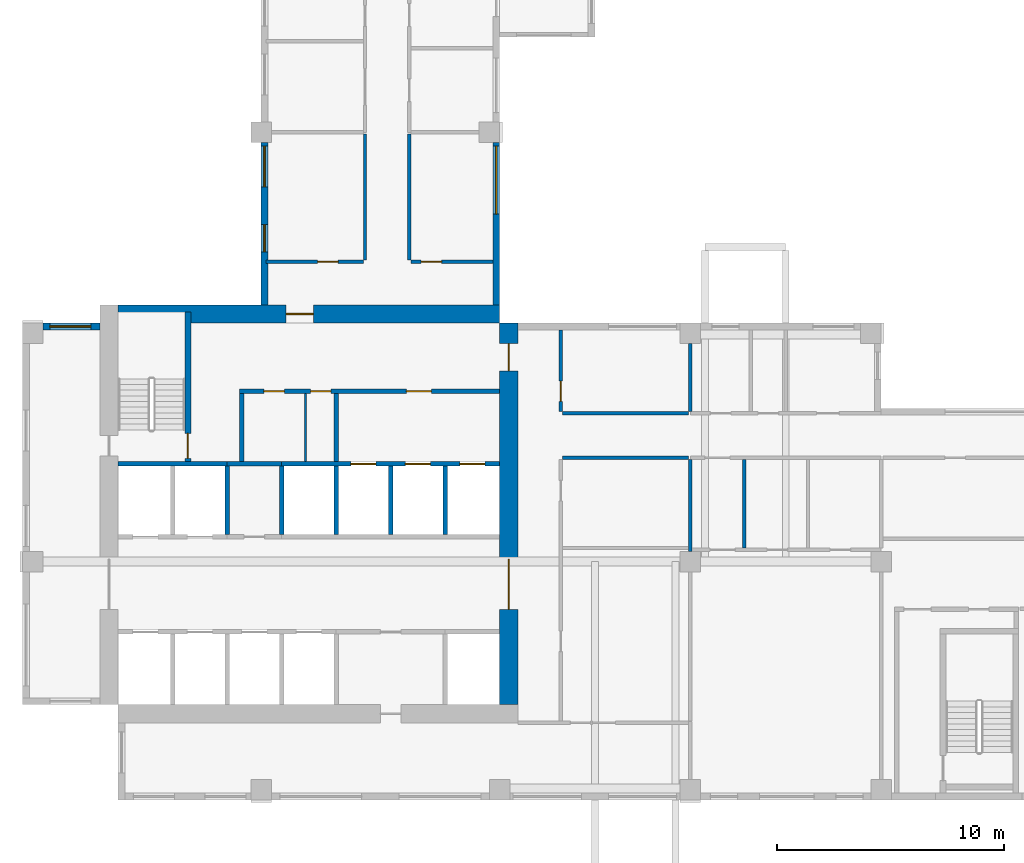
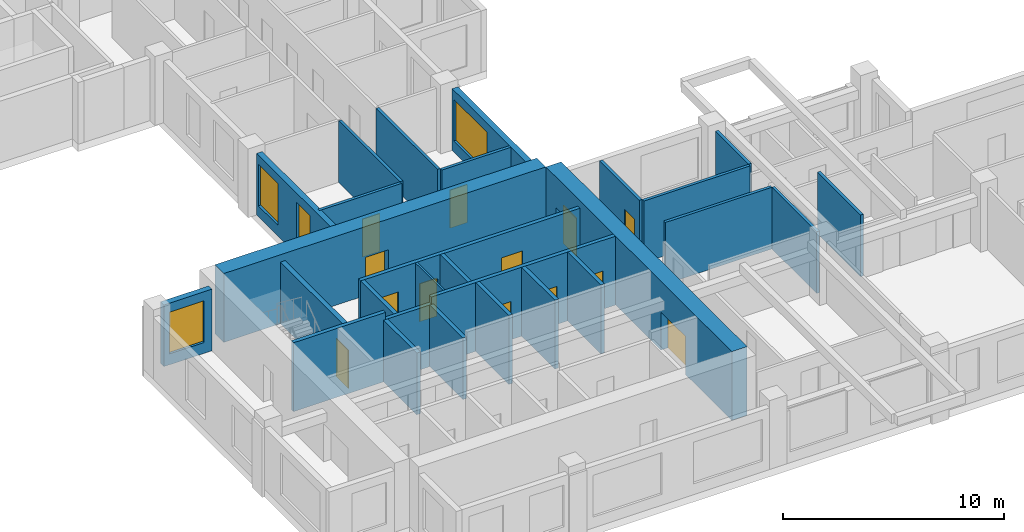
# One storey, part 3 of 12: 28 walls, 13 doors, 4 windows, 17 openings.
"""IFC4 building model written with IfcOpenShell, lengths in metres."""

from ifc_helpers import new_model, si_unit, direction, frame, frame_2d, origin, place, context, subcontext, project, spatial, rectangle, extrude, source, transform, mapped, material, layer, layer_set, type_object, element, fill, save


model = new_model("IFC4")

# Units and contexts
model_context = context("Model", 3, precision=1e-05, world=origin(), true_north=direction((0.0, 1.0)))
body_context = subcontext(model_context, "Body", "Model", "MODEL_VIEW")
ifc_project = project(units=[si_unit("LENGTHUNIT", "METRE"), si_unit("AREAUNIT", "SQUARE_METRE"), si_unit("VOLUMEUNIT", "CUBIC_METRE"), si_unit("PLANEANGLEUNIT", "RADIAN"), si_unit("MASSUNIT", "GRAM", prefix="KILO")], contexts=[model_context])

# Site, building, storey
site_placement = place(None, origin())
site = spatial("IfcSite", under=ifc_project, at=site_placement, CompositionType="ELEMENT")
building_placement = place(site_placement, origin())
building = spatial("IfcBuilding", under=site, at=building_placement, Name="Aurelian Terraces", CompositionType="ELEMENT")
storey_placement = place(building_placement, frame((0.0, 0.0, 189.2)))
storey = spatial("IfcBuildingStorey", under=building, at=storey_placement, Name="L41", CompositionType="ELEMENT", Elevation=189.2)

# Wall, openings, doors
ifc_material_1 = material(Name="Concrete fc' 70 MPa", Category="concrete")
ifc_layer_1 = layer(ifc_material_1, 0.8)
ifc_layer_set_1 = layer_set([ifc_layer_1], Name="CORE WALL 800 FC70")
wall_type_1 = type_object("IfcWallType", Name="CORE WALL 800 FC70", PredefinedType="SHEAR", material=ifc_layer_set_1)
shared_shape_1 = source(origin(), body_context, "Body", "SweptSolid", [
    extrude(rectangle(XDim=16.8, YDim=0.8, at=frame_2d((8.4, 0.0))), origin(), (0.0, 0.0, 1.0), 3.8),
])
wall_1_placement = place(storey_placement, frame((21.4, 4.2, 0.0), z_axis=(0.0, 0.0, 1.0), x_axis=(0.0, 1.0, 0.0)))
wall_1 = element("IfcWall", 1, at=wall_1_placement, inside=storey, type_object=wall_type_1, Name="Core wall E L41", PredefinedType="SHEAR", context=body_context, shape_type="MappedRepresentation", body=[
    mapped(shared_shape_1, transform((0.0, 0.0, 0.0), scale=1.0)),
])
shared_shape_2 = source(origin(), body_context, "Body", "SweptSolid", [
    extrude(rectangle(XDim=2.2, YDim=2.1, at=frame_2d((1.1, 1.05))), frame((0.0, 0.41, 0.0), z_axis=(0.0, -1.0, 0.0), x_axis=(1.0, 0.0, 0.0)), (0.0, 0.0, 1.0), 0.82),
])
opening_1_placement = place(wall_1_placement, frame((4.2, 0.0, 0.0)))
opening_1 = element("IfcOpeningElement", 2, at=opening_1_placement, cuts=wall_1, Name="Opening 64421", PredefinedType="OPENING", context=body_context, shape_type="MappedRepresentation", body=[
    mapped(shared_shape_2, transform((0.0, 0.0, 0.0), scale=1.0)),
])
shared_shape_3 = source(origin(), body_context, "Body", "SweptSolid", [
    extrude(rectangle(XDim=1.2, YDim=2.1, at=frame_2d((0.6, 1.05))), frame((0.0, 0.41, 0.0), z_axis=(0.0, -1.0, 0.0), x_axis=(1.0, 0.0, 0.0)), (0.0, 0.0, 1.0), 0.82),
])
opening_2_placement = place(wall_1_placement, frame((14.7, 0.0, 0.0)))
opening_2 = element("IfcOpeningElement", 3, at=opening_2_placement, cuts=wall_1, Name="Opening 64424", PredefinedType="OPENING", context=body_context, shape_type="MappedRepresentation", body=[
    mapped(shared_shape_3, transform((0.0, 0.0, 0.0), scale=1.0)),
])
ifc_material_2 = material(Name="Steel door leaf", Category="steel")
door_type_1 = type_object("IfcDoorType", Name="Core fire door 1200x2100 right", OperationType="SINGLE_SWING_RIGHT", PredefinedType="DOOR", material=ifc_material_2)
shared_shape_4 = source(origin(), body_context, "Body", "SweptSolid", [
    extrude(rectangle(XDim=1.2, YDim=2.1, at=frame_2d((0.6, 1.05))), frame((0.0, 0.025, 0.0), z_axis=(0.0, -1.0, 0.0), x_axis=(1.0, 0.0, 0.0)), (0.0, 0.0, 1.0), 0.05),
])
door_1_placement = place(opening_2_placement, origin())
door_1 = element("IfcDoor", 4, at=door_1_placement, inside=storey, type_object=door_type_1, Name="Core door 64424", OperationType="SINGLE_SWING_RIGHT", OverallHeight=2.1, OverallWidth=1.2, PredefinedType="DOOR", context=body_context, shape_type="MappedRepresentation", body=[
    mapped(shared_shape_4, transform((0.0, 0.0, 0.0), scale=1.0)),
])
fill(opening_2, door_1)
door_type_2 = type_object("IfcDoorType", Name="Core double door 2200x2100", OperationType="DOUBLE_DOOR_SINGLE_SWING", PredefinedType="DOOR", material=ifc_material_2)
shared_shape_5 = source(origin(), body_context, "Body", "SweptSolid", [
    extrude(rectangle(XDim=2.2, YDim=2.1, at=frame_2d((1.1, 1.05))), frame((0.0, 0.025, 0.0), z_axis=(0.0, -1.0, 0.0), x_axis=(1.0, 0.0, 0.0)), (0.0, 0.0, 1.0), 0.05),
])
door_2_placement = place(opening_1_placement, origin())
door_2 = element("IfcDoor", 5, at=door_2_placement, inside=storey, type_object=door_type_2, Name="Core door 64421", OperationType="DOUBLE_DOOR_SINGLE_SWING", OverallHeight=2.1, OverallWidth=2.2, PredefinedType="DOOR", context=body_context, shape_type="MappedRepresentation", body=[
    mapped(shared_shape_5, transform((0.0, 0.0, 0.0), scale=1.0)),
])
fill(opening_1, door_2)

# Wall, opening, door
wall_2_placement = place(storey_placement, frame((4.2, 21.4, 0.0), z_axis=(0.0, 0.0, 1.0), x_axis=(1.0, 0.0, 0.0)))
wall_2 = element("IfcWall", 6, at=wall_2_placement, inside=storey, type_object=wall_type_1, Name="Core wall N L41", PredefinedType="SHEAR", context=body_context, shape_type="MappedRepresentation", body=[
    mapped(shared_shape_1, transform((0.0, 0.0, 0.0), scale=1.0)),
])
opening_3_placement = place(wall_2_placement, frame((7.4, 0.0, 0.0)))
opening_3 = element("IfcOpeningElement", 7, at=opening_3_placement, cuts=wall_2, Name="Opening 64423", PredefinedType="OPENING", context=body_context, shape_type="MappedRepresentation", body=[
    mapped(shared_shape_3, transform((0.0, 0.0, 0.0), scale=1.0)),
])
door_type_3 = type_object("IfcDoorType", Name="Core fire door 1200x2100", OperationType="SINGLE_SWING_LEFT", PredefinedType="DOOR", material=ifc_material_2)
door_3_placement = place(opening_3_placement, origin())
door_3 = element("IfcDoor", 8, at=door_3_placement, inside=storey, type_object=door_type_3, Name="Core door 64423", OperationType="SINGLE_SWING_LEFT", OverallHeight=2.1, OverallWidth=1.2, PredefinedType="DOOR", context=body_context, shape_type="MappedRepresentation", body=[
    mapped(shared_shape_4, transform((0.0, 0.0, 0.0), scale=1.0)),
])
fill(opening_3, door_3)

# Wall, opening, window
ifc_material_3 = material(Name="Terracotta rainscreen cladding", Category="masonry")
ifc_layer_2 = layer(ifc_material_3, 0.3)
ifc_layer_set_2 = layer_set([ifc_layer_2], Name="EW-300")
wall_type_2 = type_object("IfcWallType", Name="EW-300", PredefinedType="STANDARD", material=ifc_layer_set_2)
shared_shape_6 = source(origin(), body_context, "Body", "SweptSolid", [
    extrude(rectangle(XDim=7.15, YDim=0.3, at=frame_2d((3.575, 0.0))), origin(), (0.0, 0.0, 1.0), 3.4),
])
wall_3_placement = place(storey_placement, frame((20.85, 21.8, 0.0), z_axis=(0.0, 0.0, 1.0), x_axis=(0.0, 1.0, 0.0)))
wall_3 = element("IfcWall", 9, at=wall_3_placement, inside=storey, type_object=wall_type_2, Name="External wall L41 F08.18", PredefinedType="STANDARD", context=body_context, shape_type="MappedRepresentation", body=[
    mapped(shared_shape_6, transform((0.0, 0.0, 0.0), scale=1.0)),
])
shared_shape_7 = source(origin(), body_context, "Body", "SweptSolid", [
    extrude(rectangle(XDim=3.0, YDim=2.3, at=frame_2d((1.5, 1.15))), frame((0.0, 0.16, 0.0), z_axis=(0.0, -1.0, 0.0), x_axis=(1.0, 0.0, 0.0)), (0.0, 0.0, 1.0), 0.32),
])
opening_4_placement = place(wall_3_placement, frame((4.0, 0.0, 0.6)))
opening_4 = element("IfcOpeningElement", 10, at=opening_4_placement, cuts=wall_3, Name="Opening W3023", PredefinedType="OPENING", context=body_context, shape_type="MappedRepresentation", body=[
    mapped(shared_shape_7, transform((0.0, 0.0, 0.0), scale=1.0)),
])
ifc_material_4 = material(Name="Clear glazing", Category="glass")
window_type_1 = type_object("IfcWindowType", Name="W-3000x2300", PartitioningType="SINGLE_PANEL", PredefinedType="WINDOW", material=ifc_material_4)
shared_shape_8 = source(origin(), body_context, "Body", "SweptSolid", [
    extrude(rectangle(XDim=3.0, YDim=2.3, at=frame_2d((1.5, 1.15))), frame((0.0, 0.03, 0.0), z_axis=(0.0, -1.0, 0.0), x_axis=(1.0, 0.0, 0.0)), (0.0, 0.0, 1.0), 0.06),
])
window_1_placement = place(opening_4_placement, origin())
window_1 = element("IfcWindow", 11, at=window_1_placement, inside=storey, type_object=window_type_1, Name="Window L41 L41-F08-18-1", OverallHeight=2.3, OverallWidth=3.0, PartitioningType="SINGLE_PANEL", PredefinedType="WINDOW", context=body_context, shape_type="MappedRepresentation", body=[
    mapped(shared_shape_8, transform((0.0, 0.0, 0.0), scale=1.0)),
])
fill(opening_4, window_1)

# Wall, openings, windows
wall_4_placement = place(storey_placement, frame((10.65, 28.95, 0.0), z_axis=(0.0, 0.0, 1.0), x_axis=(0.0, -1.0, 0.0)))
wall_4 = element("IfcWall", 12, at=wall_4_placement, inside=storey, type_object=wall_type_2, Name="External wall L41 F18.32", PredefinedType="STANDARD", context=body_context, shape_type="MappedRepresentation", body=[
    mapped(shared_shape_6, transform((0.0, 0.0, 0.0), scale=1.0)),
])
shared_shape_9 = source(origin(), body_context, "Body", "SweptSolid", [
    extrude(rectangle(XDim=1.8, YDim=2.3, at=frame_2d((0.9, 1.15))), frame((0.0, 0.16, 0.0), z_axis=(0.0, -1.0, 0.0), x_axis=(1.0, 0.0, 0.0)), (0.0, 0.0, 1.0), 0.32),
])
opening_5_placement = place(wall_4_placement, frame((0.15, 0.0, 0.6)))
opening_5 = element("IfcOpeningElement", 13, at=opening_5_placement, cuts=wall_4, Name="Opening W1823", PredefinedType="OPENING", context=body_context, shape_type="MappedRepresentation", body=[
    mapped(shared_shape_9, transform((0.0, 0.0, 0.0), scale=1.0)),
])
shared_shape_10 = source(origin(), body_context, "Body", "SweptSolid", [
    extrude(rectangle(XDim=1.2, YDim=2.3, at=frame_2d((0.6, 1.15))), frame((0.0, 0.16, 0.0), z_axis=(0.0, -1.0, 0.0), x_axis=(1.0, 0.0, 0.0)), (0.0, 0.0, 1.0), 0.32),
])
opening_6_placement = place(wall_4_placement, frame((3.6125, 0.0, 0.6)))
opening_6 = element("IfcOpeningElement", 14, at=opening_6_placement, cuts=wall_4, Name="Opening W1223", PredefinedType="OPENING", context=body_context, shape_type="MappedRepresentation", body=[
    mapped(shared_shape_10, transform((0.0, 0.0, 0.0), scale=1.0)),
])
window_type_2 = type_object("IfcWindowType", Name="W-1200x2300", PartitioningType="SINGLE_PANEL", PredefinedType="WINDOW", material=ifc_material_4)
shared_shape_11 = source(origin(), body_context, "Body", "SweptSolid", [
    extrude(rectangle(XDim=1.2, YDim=2.3, at=frame_2d((0.6, 1.15))), frame((0.0, 0.03, 0.0), z_axis=(0.0, -1.0, 0.0), x_axis=(1.0, 0.0, 0.0)), (0.0, 0.0, 1.0), 0.06),
])
window_2_placement = place(opening_6_placement, origin())
window_2 = element("IfcWindow", 15, at=window_2_placement, inside=storey, type_object=window_type_2, Name="Window L41 L41-F18-32-G1-108", OverallHeight=2.3, OverallWidth=1.2, PartitioningType="SINGLE_PANEL", PredefinedType="WINDOW", context=body_context, shape_type="MappedRepresentation", body=[
    mapped(shared_shape_11, transform((0.0, 0.0, 0.0), scale=1.0)),
])
fill(opening_6, window_2)
window_type_3 = type_object("IfcWindowType", Name="W-1800x2300", PartitioningType="SINGLE_PANEL", PredefinedType="WINDOW", material=ifc_material_4)
shared_shape_12 = source(origin(), body_context, "Body", "SweptSolid", [
    extrude(rectangle(XDim=1.8, YDim=2.3, at=frame_2d((0.9, 1.15))), frame((0.0, 0.03, 0.0), z_axis=(0.0, -1.0, 0.0), x_axis=(1.0, 0.0, 0.0)), (0.0, 0.0, 1.0), 0.06),
])
window_3_placement = place(opening_5_placement, origin())
window_3 = element("IfcWindow", 16, at=window_3_placement, inside=storey, type_object=window_type_3, Name="Window L41 L41-F18-32-2", OverallHeight=2.3, OverallWidth=1.8, PartitioningType="SINGLE_PANEL", PredefinedType="WINDOW", context=body_context, shape_type="MappedRepresentation", body=[
    mapped(shared_shape_12, transform((0.0, 0.0, 0.0), scale=1.0)),
])
fill(opening_5, window_3)

# Wall, opening, window
shared_shape_13 = source(origin(), body_context, "Body", "SweptSolid", [
    extrude(rectangle(XDim=2.5, YDim=0.3, at=frame_2d((1.25, 0.0))), origin(), (0.0, 0.0, 1.0), 3.4),
])
wall_5_placement = place(storey_placement, frame((3.4, 20.85, 0.0), z_axis=(0.0, 0.0, 1.0), x_axis=(-1.0, 0.0, 0.0)))
wall_5 = element("IfcWall", 17, at=wall_5_placement, inside=storey, type_object=wall_type_2, Name="External wall L41 F21.35", PredefinedType="STANDARD", context=body_context, shape_type="MappedRepresentation", body=[
    mapped(shared_shape_13, transform((0.0, 0.0, 0.0), scale=1.0)),
])
opening_7_placement = place(wall_5_placement, frame((0.4, 0.0, 0.6)))
opening_7 = element("IfcOpeningElement", 18, at=opening_7_placement, cuts=wall_5, Name="Opening W1823", PredefinedType="OPENING", context=body_context, shape_type="MappedRepresentation", body=[
    mapped(shared_shape_9, transform((0.0, 0.0, 0.0), scale=1.0)),
])
window_4_placement = place(opening_7_placement, origin())
window_4 = element("IfcWindow", 19, at=window_4_placement, inside=storey, type_object=window_type_3, Name="Window L41 L41-F21-35-0", OverallHeight=2.3, OverallWidth=1.8, PartitioningType="SINGLE_PANEL", PredefinedType="WINDOW", context=body_context, shape_type="MappedRepresentation", body=[
    mapped(shared_shape_12, transform((0.0, 0.0, 0.0), scale=1.0)),
])
fill(opening_7, window_4)

# Walls
ifc_material_5 = material(Name="Concrete fc' 40 MPa", Category="concrete")
ifc_layer_3 = layer(ifc_material_5, 0.2)
ifc_layer_set_3 = layer_set([ifc_layer_3], Name="Lift shaft wall 200")
wall_type_3 = type_object("IfcWallType", Name="Lift shaft wall 200", PredefinedType="SOLIDWALL", material=ifc_layer_set_3)
shared_shape_14 = source(origin(), body_context, "Body", "SweptSolid", [
    extrude(rectangle(XDim=3.0, YDim=0.2, at=frame_2d((1.5, 0.0))), origin(), (0.0, 0.0, 1.0), 3.4),
])
for number, where, z_axis, x_axis, name in (
    (20, (9.0, 11.7, 0.0), (0.0, 0.0, 1.0), (0.0, 1.0, 0.0), "L41 core wall CD-B2"),
    (21, (11.4, 11.7, 0.0), (0.0, 0.0, 1.0), (0.0, 1.0, 0.0), "L41 core wall CD-B3"),
):
    element("IfcWall", number, at=place(storey_placement, frame(where, z_axis=z_axis, x_axis=x_axis)), inside=storey, type_object=wall_type_3, Name=name, PredefinedType="SOLIDWALL", context=body_context, shape_type="MappedRepresentation", body=[
        mapped(shared_shape_14, transform((0.0, 0.0, 0.0), scale=1.0)),
    ])
shared_shape_15 = source(origin(), body_context, "Body", "SweptSolid", [
    extrude(rectangle(XDim=3.0, YDim=0.2, at=frame_2d((1.5, 0.0))), origin(), (0.0, 0.0, 1.0), 3.8),
])
for number, where, z_axis, x_axis, name in (
    (22, (13.8, 11.7, 0.0), (0.0, 0.0, 1.0), (0.0, 1.0, 0.0), "L41 core wall CD-B4"),
    (23, (16.2, 11.7, 0.0), (0.0, 0.0, 1.0), (0.0, 1.0, 0.0), "L41 core wall CD-B5"),
    (24, (18.6, 11.7, 0.0), (0.0, 0.0, 1.0), (0.0, 1.0, 0.0), "L41 core wall CD-B6"),
):
    element("IfcWall", number, at=place(storey_placement, frame(where, z_axis=z_axis, x_axis=x_axis)), inside=storey, type_object=wall_type_3, Name=name, PredefinedType="SOLIDWALL", context=body_context, shape_type="MappedRepresentation", body=[
        mapped(shared_shape_15, transform((0.0, 0.0, 0.0), scale=1.0)),
    ])

# Wall, openings, doors
shared_shape_16 = source(origin(), body_context, "Body", "SweptSolid", [
    extrude(rectangle(XDim=9.6, YDim=0.2, at=frame_2d((4.8, 0.0))), origin(), (0.0, 0.0, 1.0), 3.8),
])
wall_6_placement = place(storey_placement, frame((11.4, 14.8, 0.0), z_axis=(0.0, 0.0, 1.0), x_axis=(1.0, 0.0, 0.0)))
wall_6 = element("IfcWall", 25, at=wall_6_placement, inside=storey, type_object=wall_type_3, Name="L41 core wall CF-BB3", PredefinedType="SOLIDWALL", context=body_context, shape_type="MappedRepresentation", body=[
    mapped(shared_shape_16, transform((0.0, 0.0, 0.0), scale=1.0)),
])
shared_shape_17 = source(origin(), body_context, "Body", "SweptSolid", [
    extrude(rectangle(XDim=1.1, YDim=2.1, at=frame_2d((0.55, 1.05))), frame((0.0, 0.11, 0.0), z_axis=(0.0, -1.0, 0.0), x_axis=(1.0, 0.0, 0.0)), (0.0, 0.0, 1.0), 0.22),
])
opening_8_placement = place(wall_6_placement, frame((3.05, 0.0, 0.0)))
opening_8 = element("IfcOpeningElement", 26, at=opening_8_placement, cuts=wall_6, Name="Opening 64408", PredefinedType="OPENING", context=body_context, shape_type="MappedRepresentation", body=[
    mapped(shared_shape_17, transform((0.0, 0.0, 0.0), scale=1.0)),
])
opening_9_placement = place(wall_6_placement, frame((5.45, 0.0, 0.0)))
opening_9 = element("IfcOpeningElement", 27, at=opening_9_placement, cuts=wall_6, Name="Opening 64409", PredefinedType="OPENING", context=body_context, shape_type="MappedRepresentation", body=[
    mapped(shared_shape_17, transform((0.0, 0.0, 0.0), scale=1.0)),
])
opening_10_placement = place(wall_6_placement, frame((7.85, 0.0, 0.0)))
opening_10 = element("IfcOpeningElement", 28, at=opening_10_placement, cuts=wall_6, Name="Opening 64410", PredefinedType="OPENING", context=body_context, shape_type="MappedRepresentation", body=[
    mapped(shared_shape_17, transform((0.0, 0.0, 0.0), scale=1.0)),
])
ifc_material_6 = material(Name="Stainless steel", Category="steel")
door_type_4 = type_object("IfcDoorType", Name="Lift landing door 1100x2100", OperationType="SLIDING_TO_LEFT", PredefinedType="DOOR", material=ifc_material_6)
shared_shape_18 = source(origin(), body_context, "Body", "SweptSolid", [
    extrude(rectangle(XDim=1.1, YDim=2.1, at=frame_2d((0.55, 1.05))), frame((0.0, 0.025, 0.0), z_axis=(0.0, -1.0, 0.0), x_axis=(1.0, 0.0, 0.0)), (0.0, 0.0, 1.0), 0.05),
])
door_4_placement = place(opening_8_placement, origin())
door_4 = element("IfcDoor", 29, at=door_4_placement, inside=storey, type_object=door_type_4, Name="Lift landing door F1 L41", OperationType="SLIDING_TO_LEFT", OverallHeight=2.1, OverallWidth=1.1, PredefinedType="DOOR", context=body_context, shape_type="MappedRepresentation", body=[
    mapped(shared_shape_18, transform((0.0, 0.0, 0.0), scale=1.0)),
])
fill(opening_8, door_4)
door_5_placement = place(opening_9_placement, origin())
door_5 = element("IfcDoor", 30, at=door_5_placement, inside=storey, type_object=door_type_4, Name="Lift landing door F2 L41", OperationType="SLIDING_TO_LEFT", OverallHeight=2.1, OverallWidth=1.1, PredefinedType="DOOR", context=body_context, shape_type="MappedRepresentation", body=[
    mapped(shared_shape_18, transform((0.0, 0.0, 0.0), scale=1.0)),
])
fill(opening_9, door_5)
door_6_placement = place(opening_10_placement, origin())
door_6 = element("IfcDoor", 31, at=door_6_placement, inside=storey, type_object=door_type_4, Name="Lift landing door F3 L41", OperationType="SLIDING_TO_LEFT", OverallHeight=2.1, OverallWidth=1.1, PredefinedType="DOOR", context=body_context, shape_type="MappedRepresentation", body=[
    mapped(shared_shape_18, transform((0.0, 0.0, 0.0), scale=1.0)),
])
fill(opening_10, door_6)

# Walls
shared_shape_19 = source(origin(), body_context, "Body", "SweptSolid", [
    extrude(rectangle(XDim=4.8, YDim=0.2, at=frame_2d((2.4, 0.0))), origin(), (0.0, 0.0, 1.0), 3.8),
])
wall_7_placement = place(storey_placement, frame((4.2, 14.8, 0.0), z_axis=(0.0, 0.0, 1.0), x_axis=(1.0, 0.0, 0.0)))
element("IfcWall", 32, at=wall_7_placement, inside=storey, type_object=wall_type_3, Name="L41 core wall CF-BB1", PredefinedType="SOLIDWALL", context=body_context, shape_type="MappedRepresentation", body=[
    mapped(shared_shape_19, transform((0.0, 0.0, 0.0), scale=1.0)),
])
shared_shape_20 = source(origin(), body_context, "Body", "SweptSolid", [
    extrude(rectangle(XDim=2.4, YDim=0.2, at=frame_2d((1.2, 0.0))), origin(), (0.0, 0.0, 1.0), 3.4),
])
wall_8_placement = place(storey_placement, frame((9.0, 14.8, 0.0), z_axis=(0.0, 0.0, 1.0), x_axis=(1.0, 0.0, 0.0)))
element("IfcWall", 33, at=wall_8_placement, inside=storey, type_object=wall_type_3, Name="L41 core wall CF-BB2", PredefinedType="SOLIDWALL", context=body_context, shape_type="MappedRepresentation", body=[
    mapped(shared_shape_20, transform((0.0, 0.0, 0.0), scale=1.0)),
])
ifc_material_7 = material(Name="Gypsum board on steel studs", Category="steel")
ifc_layer_4 = layer(ifc_material_7, 0.2)
ifc_layer_set_4 = layer_set([ifc_layer_4], Name="Core partition 200")
wall_type_4 = type_object("IfcWallType", Name="Core partition 200", PredefinedType="PARTITIONING", material=ifc_layer_set_4)
shared_shape_21 = source(origin(), body_context, "Body", "SweptSolid", [
    extrude(rectangle(XDim=3.0, YDim=0.2, at=frame_2d((1.5, 0.0))), origin(), (0.0, 0.0, 1.0), 3.4),
])
for number, where, z_axis, x_axis, name in (
    (34, (9.65, 14.9, 0.0), (0.0, 0.0, 1.0), (0.0, 1.0, 0.0), "L41 core wall CP-VEST"),
    (35, (13.8, 14.9, 0.0), (0.0, 0.0, 1.0), (0.0, 1.0, 0.0), "L41 core wall CP-FFL"),
):
    element("IfcWall", number, at=place(storey_placement, frame(where, z_axis=z_axis, x_axis=x_axis)), inside=storey, type_object=wall_type_4, Name=name, PredefinedType="PARTITIONING", context=body_context, shape_type="MappedRepresentation", body=[
        mapped(shared_shape_21, transform((0.0, 0.0, 0.0), scale=1.0)),
    ])
ifc_layer_5 = layer(ifc_material_7, 0.1)
ifc_layer_set_5 = layer_set([ifc_layer_5], Name="Core partition 100")
wall_type_5 = type_object("IfcWallType", Name="Core partition 100", PredefinedType="PARTITIONING", material=ifc_layer_set_5)
shared_shape_22 = source(origin(), body_context, "Body", "SweptSolid", [
    extrude(rectangle(XDim=3.0, YDim=0.1, at=frame_2d((1.5, 0.0))), origin(), (0.0, 0.0, 1.0), 3.4),
])
wall_9_placement = place(storey_placement, frame((12.45, 14.9, 0.0), z_axis=(0.0, 0.0, 1.0), x_axis=(0.0, 1.0, 0.0)))
element("IfcWall", 36, at=wall_9_placement, inside=storey, type_object=wall_type_5, Name="L41 core wall CP-SV1", PredefinedType="PARTITIONING", context=body_context, shape_type="MappedRepresentation", body=[
    mapped(shared_shape_22, transform((0.0, 0.0, 0.0), scale=1.0)),
])

# Wall, opening, door
ifc_layer_6 = layer(ifc_material_5, 0.25)
ifc_layer_set_6 = layer_set([ifc_layer_6], Name="Stair enclosure wall 250")
wall_type_6 = type_object("IfcWallType", Name="Stair enclosure wall 250", PredefinedType="SOLIDWALL", material=ifc_layer_set_6)
shared_shape_23 = source(origin(), body_context, "Body", "SweptSolid", [
    extrude(rectangle(XDim=6.6, YDim=0.25, at=frame_2d((3.3, 0.0))), origin(), (0.0, 0.0, 1.0), 3.4),
])
wall_10_placement = place(storey_placement, frame((7.275, 14.9, 0.0), z_axis=(0.0, 0.0, 1.0), x_axis=(0.0, 1.0, 0.0)))
wall_10 = element("IfcWall", 37, at=wall_10_placement, inside=storey, type_object=wall_type_6, Name="L41 core wall ST-S1-E", PredefinedType="SOLIDWALL", context=body_context, shape_type="MappedRepresentation", body=[
    mapped(shared_shape_23, transform((0.0, 0.0, 0.0), scale=1.0)),
])
shared_shape_24 = source(origin(), body_context, "Body", "SweptSolid", [
    extrude(rectangle(XDim=1.1, YDim=2.1, at=frame_2d((0.55, 1.05))), frame((0.0, 0.135, 0.0), z_axis=(0.0, -1.0, 0.0), x_axis=(1.0, 0.0, 0.0)), (0.0, 0.0, 1.0), 0.27),
])
opening_11_placement = place(wall_10_placement, frame((0.15, 0.0, 0.0)))
opening_11 = element("IfcOpeningElement", 38, at=opening_11_placement, cuts=wall_10, Name="Opening 64411", PredefinedType="OPENING", context=body_context, shape_type="MappedRepresentation", body=[
    mapped(shared_shape_24, transform((0.0, 0.0, 0.0), scale=1.0)),
])
door_type_5 = type_object("IfcDoorType", Name="Core fire door 1100x2100 right", OperationType="SINGLE_SWING_RIGHT", PredefinedType="DOOR", material=ifc_material_2)
door_7_placement = place(opening_11_placement, origin())
door_7 = element("IfcDoor", 39, at=door_7_placement, inside=storey, type_object=door_type_5, Name="Stair door 64411", OperationType="SINGLE_SWING_RIGHT", OverallHeight=2.1, OverallWidth=1.1, PredefinedType="DOOR", context=body_context, shape_type="MappedRepresentation", body=[
    mapped(shared_shape_18, transform((0.0, 0.0, 0.0), scale=1.0)),
])
fill(opening_11, door_7)

# Wall, openings, doors
shared_shape_25 = source(origin(), body_context, "Body", "SweptSolid", [
    extrude(rectangle(XDim=11.45, YDim=0.2, at=frame_2d((5.725, 0.0))), origin(), (0.0, 0.0, 1.0), 3.4),
])
wall_11_placement = place(storey_placement, frame((9.55, 18.0, 0.0), z_axis=(0.0, 0.0, 1.0), x_axis=(1.0, 0.0, 0.0)))
wall_11 = element("IfcWall", 40, at=wall_11_placement, inside=storey, type_object=wall_type_4, Name="L41 core wall CP-NORTH", PredefinedType="PARTITIONING", context=body_context, shape_type="MappedRepresentation", body=[
    mapped(shared_shape_25, transform((0.0, 0.0, 0.0), scale=1.0)),
])
shared_shape_26 = source(origin(), body_context, "Body", "SweptSolid", [
    extrude(rectangle(XDim=0.9, YDim=2.1, at=frame_2d((0.45, 1.05))), frame((0.0, 0.11, 0.0), z_axis=(0.0, -1.0, 0.0), x_axis=(1.0, 0.0, 0.0)), (0.0, 0.0, 1.0), 0.22),
])
opening_12_placement = place(wall_11_placement, frame((1.075, 0.0, 0.0)))
opening_12 = element("IfcOpeningElement", 41, at=opening_12_placement, cuts=wall_11, Name="Opening 64412", PredefinedType="OPENING", context=body_context, shape_type="MappedRepresentation", body=[
    mapped(shared_shape_26, transform((0.0, 0.0, 0.0), scale=1.0)),
])
opening_13_placement = place(wall_11_placement, frame((3.125, 0.0, 0.0)))
opening_13 = element("IfcOpeningElement", 42, at=opening_13_placement, cuts=wall_11, Name="Opening 64413", PredefinedType="OPENING", context=body_context, shape_type="MappedRepresentation", body=[
    mapped(shared_shape_26, transform((0.0, 0.0, 0.0), scale=1.0)),
])
opening_14_placement = place(wall_11_placement, frame((7.35, 0.0, 0.0)))
opening_14 = element("IfcOpeningElement", 43, at=opening_14_placement, cuts=wall_11, Name="Opening 64414", PredefinedType="OPENING", context=body_context, shape_type="MappedRepresentation", body=[
    mapped(shared_shape_17, transform((0.0, 0.0, 0.0), scale=1.0)),
])
door_type_6 = type_object("IfcDoorType", Name="Core service door 900x2100", OperationType="SINGLE_SWING_LEFT", PredefinedType="DOOR", material=ifc_material_2)
shared_shape_27 = source(origin(), body_context, "Body", "SweptSolid", [
    extrude(rectangle(XDim=0.9, YDim=2.1, at=frame_2d((0.45, 1.05))), frame((0.0, 0.025, 0.0), z_axis=(0.0, -1.0, 0.0), x_axis=(1.0, 0.0, 0.0)), (0.0, 0.0, 1.0), 0.05),
])
door_8_placement = place(opening_12_placement, origin())
door_8 = element("IfcDoor", 44, at=door_8_placement, inside=storey, type_object=door_type_6, Name="Room door 64412", OperationType="SINGLE_SWING_LEFT", OverallHeight=2.1, OverallWidth=0.9, PredefinedType="DOOR", context=body_context, shape_type="MappedRepresentation", body=[
    mapped(shared_shape_27, transform((0.0, 0.0, 0.0), scale=1.0)),
])
fill(opening_12, door_8)
door_type_7 = type_object("IfcDoorType", Name="Core riser door 900x2100 right", OperationType="SINGLE_SWING_RIGHT", PredefinedType="DOOR", material=ifc_material_2)
door_9_placement = place(opening_13_placement, origin())
door_9 = element("IfcDoor", 45, at=door_9_placement, inside=storey, type_object=door_type_7, Name="Room door 64413", OperationType="SINGLE_SWING_RIGHT", OverallHeight=2.1, OverallWidth=0.9, PredefinedType="DOOR", context=body_context, shape_type="MappedRepresentation", body=[
    mapped(shared_shape_27, transform((0.0, 0.0, 0.0), scale=1.0)),
])
fill(opening_13, door_9)
door_type_8 = type_object("IfcDoorType", Name="Core fire door 1100x2100", OperationType="SINGLE_SWING_LEFT", PredefinedType="DOOR", material=ifc_material_2)
door_10_placement = place(opening_14_placement, origin())
door_10 = element("IfcDoor", 46, at=door_10_placement, inside=storey, type_object=door_type_8, Name="Ff lobby door 64414", OperationType="SINGLE_SWING_LEFT", OverallHeight=2.1, OverallWidth=1.1, PredefinedType="DOOR", context=body_context, shape_type="MappedRepresentation", body=[
    mapped(shared_shape_18, transform((0.0, 0.0, 0.0), scale=1.0)),
])
fill(opening_14, door_10)

# Walls
ifc_layer_7 = layer(ifc_material_7, 0.15)
ifc_layer_set_7 = layer_set([ifc_layer_7], Name="Fire partition 150")
wall_type_7 = type_object("IfcWallType", Name="Fire partition 150", PredefinedType="PARTITIONING", material=ifc_layer_set_7)
shared_shape_28 = source(origin(), body_context, "Body", "SweptSolid", [
    extrude(rectangle(XDim=5.55, YDim=0.15, at=frame_2d((2.775, 0.0))), origin(), (0.0, 0.0, 1.0), 3.4),
])
for number, where, z_axis, x_axis, name in (
    (47, (29.325, 15.075, 0.0), (0.0, 0.0, 1.0), (-1.0, 0.0, 0.0), "Corridor wall"),
    (48, (23.775, 17.025, 0.0), (0.0, 0.0, 1.0), (1.0, 0.0, 0.0), "Corridor wall"),
    (49, (15.075, 23.775, 0.0), (0.0, 0.0, 1.0), (0.0, 1.0, 0.0), "Corridor wall"),
    (50, (17.025, 29.325, 0.0), (0.0, 0.0, 1.0), (0.0, -1.0, 0.0), "Corridor wall"),
):
    element("IfcWall", number, at=place(storey_placement, frame(where, z_axis=z_axis, x_axis=x_axis)), inside=storey, type_object=wall_type_7, Name=name, PredefinedType="PARTITIONING", context=body_context, shape_type="MappedRepresentation", body=[
        mapped(shared_shape_28, transform((0.0, 0.0, 0.0), scale=1.0)),
    ])
ifc_layer_8 = layer(ifc_material_7, 0.15)
ifc_layer_set_8 = layer_set([ifc_layer_8], Name="Partition 150")
wall_type_8 = type_object("IfcWallType", Name="Partition 150", PredefinedType="PARTITIONING", material=ifc_layer_set_8)
shared_shape_29 = source(origin(), body_context, "Body", "SweptSolid", [
    extrude(rectangle(XDim=3.9, YDim=0.15, at=frame_2d((1.95, 0.0))), origin(), (0.0, 0.0, 1.0), 3.4),
])
wall_12_placement = place(storey_placement, frame((31.7771, 11.1, 0.0), z_axis=(0.0, 0.0, 1.0), x_axis=(0.0, 1.0, 0.0)))
element("IfcWall", 51, at=wall_12_placement, inside=storey, type_object=wall_type_8, Name="Partition", PredefinedType="PARTITIONING", context=body_context, shape_type="MappedRepresentation", body=[
    mapped(shared_shape_29, transform((0.0, 0.0, 0.0), scale=1.0)),
])

# Wall, opening, door
shared_shape_30 = source(origin(), body_context, "Body", "SweptSolid", [
    extrude(rectangle(XDim=3.6, YDim=0.15, at=frame_2d((1.8, 0.0))), origin(), (0.0, 0.0, 1.0), 3.4),
])
wall_13_placement = place(storey_placement, frame((23.7, 20.7, 0.0), z_axis=(0.0, 0.0, 1.0), x_axis=(0.0, -1.0, 0.0)))
wall_13 = element("IfcWall", 52, at=wall_13_placement, inside=storey, type_object=wall_type_8, Name="Partition", PredefinedType="PARTITIONING", context=body_context, shape_type="MappedRepresentation", body=[
    mapped(shared_shape_30, transform((0.0, 0.0, 0.0), scale=1.0)),
])
shared_shape_31 = source(origin(), body_context, "Body", "SweptSolid", [
    extrude(rectangle(XDim=0.9, YDim=2.1, at=frame_2d((0.45, 1.05))), frame((0.0, 0.085, 0.0), z_axis=(0.0, -1.0, 0.0), x_axis=(1.0, 0.0, 0.0)), (0.0, 0.0, 1.0), 0.17),
])
opening_15_placement = place(wall_13_placement, frame((2.25, 0.0, 0.0)))
opening_15 = element("IfcOpeningElement", 53, at=opening_15_placement, cuts=wall_13, Name="Opening 741003", PredefinedType="OPENING", context=body_context, shape_type="MappedRepresentation", body=[
    mapped(shared_shape_31, transform((0.0, 0.0, 0.0), scale=1.0)),
])
ifc_material_8 = material(Name="Timber door leaf", Category="wood")
door_type_9 = type_object("IfcDoorType", Name="Room door 900x2100 left", OperationType="SINGLE_SWING_LEFT", PredefinedType="DOOR", material=ifc_material_8)
door_11_placement = place(opening_15_placement, origin())
door_11 = element("IfcDoor", 54, at=door_11_placement, inside=storey, type_object=door_type_9, Name="Door 741003", OperationType="SINGLE_SWING_LEFT", OverallHeight=2.1, OverallWidth=0.9, PredefinedType="DOOR", context=body_context, shape_type="MappedRepresentation", body=[
    mapped(shared_shape_27, transform((0.0, 0.0, 0.0), scale=1.0)),
])
fill(opening_15, door_11)

wall_14_placement = place(storey_placement, frame((17.1, 23.7, 0.0), z_axis=(0.0, 0.0, 1.0), x_axis=(1.0, 0.0, 0.0)))
wall_14 = element("IfcWall", 55, at=wall_14_placement, inside=storey, type_object=wall_type_8, Name="Partition", PredefinedType="PARTITIONING", context=body_context, shape_type="MappedRepresentation", body=[
    mapped(shared_shape_30, transform((0.0, 0.0, 0.0), scale=1.0)),
])
opening_16_placement = place(wall_14_placement, frame((0.45, 0.0, 0.0)))
opening_16 = element("IfcOpeningElement", 56, at=opening_16_placement, cuts=wall_14, Name="Opening 741021", PredefinedType="OPENING", context=body_context, shape_type="MappedRepresentation", body=[
    mapped(shared_shape_31, transform((0.0, 0.0, 0.0), scale=1.0)),
])
door_12_placement = place(opening_16_placement, origin())
door_12 = element("IfcDoor", 57, at=door_12_placement, inside=storey, type_object=door_type_9, Name="Door 741021", OperationType="SINGLE_SWING_LEFT", OverallHeight=2.1, OverallWidth=0.9, PredefinedType="DOOR", context=body_context, shape_type="MappedRepresentation", body=[
    mapped(shared_shape_27, transform((0.0, 0.0, 0.0), scale=1.0)),
])
fill(opening_16, door_12)

# Walls
shared_shape_32 = source(origin(), body_context, "Body", "SweptSolid", [
    extrude(rectangle(XDim=4.051, YDim=0.15, at=frame_2d((2.0255, 0.0))), origin(), (0.0, 0.0, 1.0), 3.4),
])
wall_15_placement = place(storey_placement, frame((29.4, 10.949, 0.0), z_axis=(0.0, 0.0, 1.0), x_axis=(0.0, 1.0, 0.0)))
element("IfcWall", 58, at=wall_15_placement, inside=storey, type_object=wall_type_8, Name="Partition", PredefinedType="PARTITIONING", context=body_context, shape_type="MappedRepresentation", body=[
    mapped(shared_shape_32, transform((0.0, 0.0, 0.0), scale=1.0)),
])
shared_shape_33 = source(origin(), body_context, "Body", "SweptSolid", [
    extrude(rectangle(XDim=3.001, YDim=0.15, at=frame_2d((1.5005, 0.0))), origin(), (0.0, 0.0, 1.0), 3.4),
])
wall_16_placement = place(storey_placement, frame((29.4, 17.1, 0.0), z_axis=(0.0, 0.0, 1.0), x_axis=(0.0, 1.0, 0.0)))
element("IfcWall", 59, at=wall_16_placement, inside=storey, type_object=wall_type_8, Name="Partition", PredefinedType="PARTITIONING", context=body_context, shape_type="MappedRepresentation", body=[
    mapped(shared_shape_33, transform((0.0, 0.0, 0.0), scale=1.0)),
])

# Wall, opening, door
shared_shape_34 = source(origin(), body_context, "Body", "SweptSolid", [
    extrude(rectangle(XDim=4.295, YDim=0.15, at=frame_2d((2.1475, 0.0))), origin(), (0.0, 0.0, 1.0), 3.4),
])
wall_17_placement = place(storey_placement, frame((10.705, 23.7, 0.0), z_axis=(0.0, 0.0, 1.0), x_axis=(1.0, 0.0, 0.0)))
wall_17 = element("IfcWall", 60, at=wall_17_placement, inside=storey, type_object=wall_type_8, Name="Partition", PredefinedType="PARTITIONING", context=body_context, shape_type="MappedRepresentation", body=[
    mapped(shared_shape_34, transform((0.0, 0.0, 0.0), scale=1.0)),
])
opening_17_placement = place(wall_17_placement, frame((2.2825, 0.0, 0.0)))
opening_17 = element("IfcOpeningElement", 61, at=opening_17_placement, cuts=wall_17, Name="Opening 741020", PredefinedType="OPENING", context=body_context, shape_type="MappedRepresentation", body=[
    mapped(shared_shape_31, transform((0.0, 0.0, 0.0), scale=1.0)),
])
door_type_10 = type_object("IfcDoorType", Name="Room door 900x2100 right", OperationType="SINGLE_SWING_RIGHT", PredefinedType="DOOR", material=ifc_material_8)
door_13_placement = place(opening_17_placement, origin())
door_13 = element("IfcDoor", 62, at=door_13_placement, inside=storey, type_object=door_type_10, Name="Door 741020", OperationType="SINGLE_SWING_RIGHT", OverallHeight=2.1, OverallWidth=0.9, PredefinedType="DOOR", context=body_context, shape_type="MappedRepresentation", body=[
    mapped(shared_shape_27, transform((0.0, 0.0, 0.0), scale=1.0)),
])
fill(opening_17, door_13)

save(model, "model.ifc")
